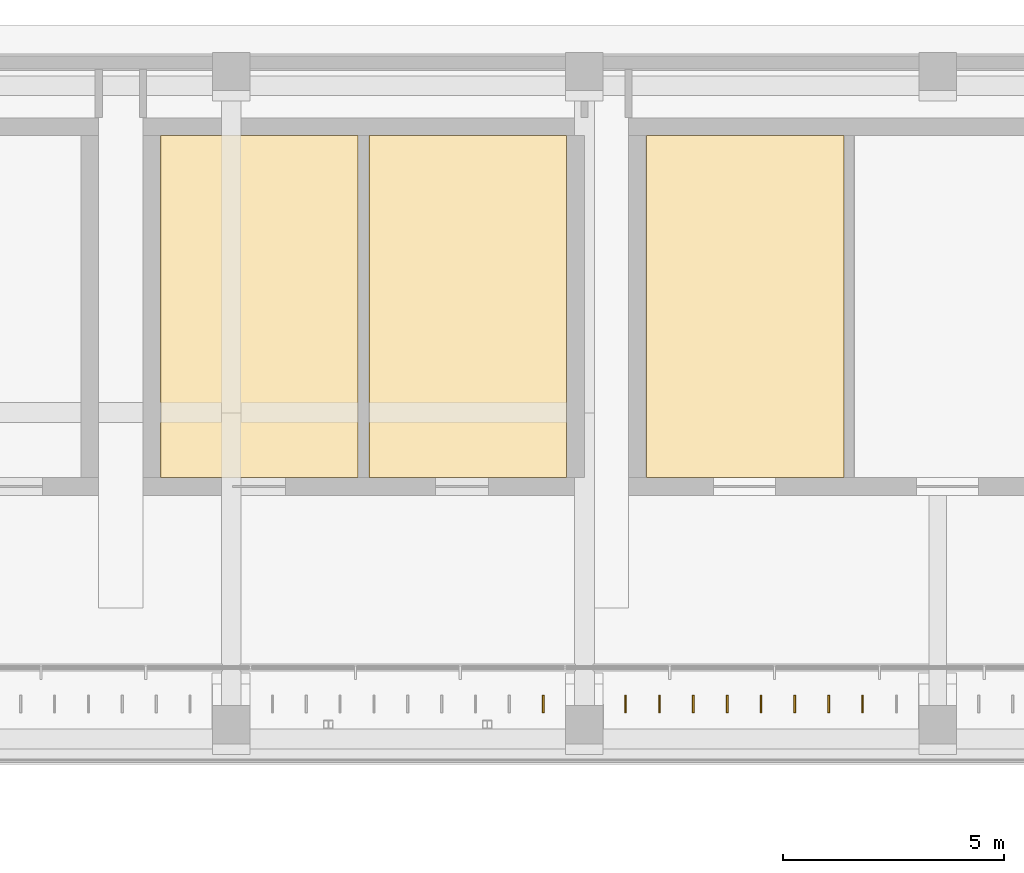
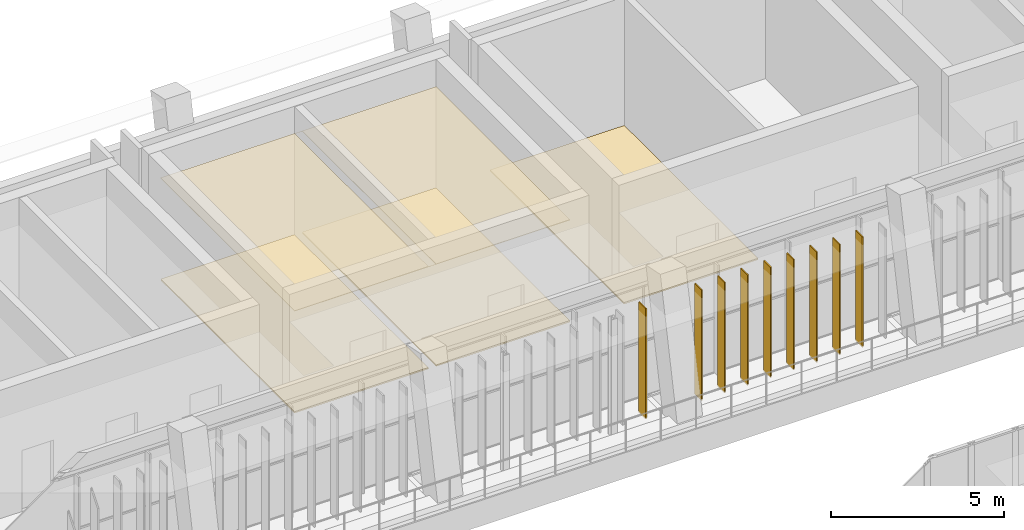
# One storey, part 87 of 92: 9 shading devices, 5 coverings.
"""IFC4 building model written with IfcOpenShell, lengths in metres."""

from ifc_helpers import new_model, si_unit, direction, frame, origin, origin_2d, place, context, subcontext, project, spatial, polyline, rectangle, outline, extrude, material, layer, layer_set, type_object, element, save


model = new_model("IFC4")

# Units and contexts
model_context = context("Model", 3, precision=1e-05, world=origin(), true_north=direction((0.0, 1.0)))
body_context = subcontext(model_context, "Body", "Model", "MODEL_VIEW")
ifc_project = project(units=[si_unit("LENGTHUNIT", "METRE"), si_unit("AREAUNIT", "SQUARE_METRE"), si_unit("VOLUMEUNIT", "CUBIC_METRE"), si_unit("PLANEANGLEUNIT", "RADIAN"), si_unit("MASSUNIT", "GRAM", prefix="KILO")], contexts=[model_context])

# Site, building, storey
site_placement = place(None, origin())
site = spatial("IfcSite", under=ifc_project, at=site_placement, CompositionType="ELEMENT")
building_placement = place(site_placement, origin())
building = spatial("IfcBuilding", under=site, at=building_placement, Name="Lantern Court Media Centre", CompositionType="ELEMENT")
storey_placement = place(building_placement, frame((0.0, 0.0, 4.800048828125)))
storey = spatial("IfcBuildingStorey", under=building, at=storey_placement, Name="L01", CompositionType="ELEMENT", Elevation=4.800048828125)

# Coverings
ifc_material_1 = material(Name="Carpet")
ifc_layer_1 = layer(ifc_material_1, 0.050048828125)
ifc_layer_set_1 = layer_set([ifc_layer_1], Name="Carpet")
covering_type_1 = type_object("IfcCoveringType", Name="Carpet floor finish", PredefinedType="FLOORING", material=ifc_layer_set_1)
covering_1_placement = place(storey_placement, origin())
element("IfcCovering", 1, at=covering_1_placement, inside=storey, type_object=covering_type_1, Name="Sound Mixing Suite 01 floor finish", PredefinedType="FLOORING", context=body_context, shape_type="SweptSolid", body=[
    extrude(outline(polyline([(46.405029296875, 103.455078125), (46.405029296875, 111.195068359375), (50.8701171875, 111.195068359375), (50.8701171875, 103.455078125), (46.405029296875, 103.455078125)])), origin(), (0.0, 0.0, 1.0), 0.050048828125),
])
covering_2_placement = place(storey_placement, origin())
element("IfcCovering", 2, at=covering_2_placement, inside=storey, type_object=covering_type_1, Name="Colour Grading Suite 01 floor finish", PredefinedType="FLOORING", context=body_context, shape_type="SweptSolid", body=[
    extrude(outline(polyline([(51.1298828125, 111.195068359375), (55.594970703125, 111.195068359375), (55.594970703125, 103.455078125), (51.1298828125, 103.455078125), (51.1298828125, 111.195068359375)])), origin(), (0.0, 0.0, 1.0), 0.050048828125),
])
covering_3_placement = place(storey_placement, origin())
element("IfcCovering", 3, at=covering_3_placement, inside=storey, type_object=covering_type_1, Name="Server Room 02 floor finish", PredefinedType="FLOORING", context=body_context, shape_type="SweptSolid", body=[
    extrude(outline(polyline([(57.405029296875, 103.455078125), (57.405029296875, 111.195068359375), (61.885009765625, 111.195068359375), (61.885009765625, 103.455078125), (57.405029296875, 103.455078125)])), origin(), (0.0, 0.0, 1.0), 0.050048828125),
])
ifc_material_2 = material(Name="Mineral fibre ceiling tile")
ifc_layer_2 = layer(ifc_material_2, 0.02001953125)
ifc_layer_set_2 = layer_set([ifc_layer_2], Name="Mineral fibre ceiling tile")
covering_type_2 = type_object("IfcCoveringType", Name="Suspended ceiling tile", PredefinedType="CEILING", material=ifc_layer_set_2)
covering_4_placement = place(storey_placement, frame((0.0, 0.0, 3.599853515625)))
element("IfcCovering", 4, at=covering_4_placement, inside=storey, type_object=covering_type_2, Name="Sound Mixing Suite 01 ceiling", PredefinedType="CEILING", context=body_context, shape_type="SweptSolid", body=[
    extrude(outline(polyline([(51.0, 103.450439453125), (46.400390625, 103.450439453125), (46.400390625, 111.199462890625), (51.0, 111.199462890625), (50.87451171875, 111.195068359375), (50.87451171875, 103.455078125), (51.0, 103.450439453125)])), origin(), (0.0, 0.0, 1.0), 0.02001953125),
])
covering_5_placement = place(storey_placement, frame((0.0, 0.0, 3.599853515625)))
element("IfcCovering", 5, at=covering_5_placement, inside=storey, type_object=covering_type_2, Name="Colour Grading Suite 01 ceiling", PredefinedType="CEILING", context=body_context, shape_type="SweptSolid", body=[
    extrude(outline(polyline([(51.0, 111.199462890625), (55.599609375, 111.199462890625), (55.599609375, 103.450439453125), (51.0, 103.450439453125), (51.12548828125, 103.455078125), (51.12548828125, 111.195068359375), (51.0, 111.199462890625)])), origin(), (0.0, 0.0, 1.0), 0.02001953125),
])

# Shading devices
ifc_material_3 = material(Name="Bronze anodised aluminium louvre", Category="aluminium")
ifc_layer_3 = layer(ifc_material_3, 0.0400390625)
ifc_layer_set_3 = layer_set([ifc_layer_3], Name="Bronze anodised aluminium louvre")
shading_device_type = type_object("IfcShadingDeviceType", Name="Vertical louvre 40x400 under beam", PredefinedType="USERDEFINED", material=ifc_layer_set_3)
for number, where, z_axis, x_axis, name in (
    (6, (55.066650390625, 98.320068359375, 0.0), (0.0, 0.0, 1.0), (1.0, 0.0, 0.0), "Vertical louvre N inner L01"),
    (7, (56.933349609375, 98.320068359375, 0.0), (0.0, 0.0, 1.0), (1.0, 0.0, 0.0), "Vertical louvre N inner L01"),
    (8, (57.699951171875, 98.320068359375, 0.0), (0.0, 0.0, 1.0), (1.0, 0.0, 0.0), "Vertical louvre N inner L01"),
    (9, (58.466552734375, 98.320068359375, 0.0), (0.0, 0.0, 1.0), (1.0, 0.0, 0.0), "Vertical louvre N inner L01"),
    (10, (59.2333984375, 98.320068359375, 0.0), (0.0, 0.0, 1.0), (1.0, 0.0, 0.0), "Vertical louvre N inner L01"),
    (11, (60.0, 98.320068359375, 0.0), (0.0, 0.0, 1.0), (1.0, 0.0, 0.0), "Vertical louvre N inner L01"),
    (12, (60.7666015625, 98.320068359375, 0.0), (0.0, 0.0, 1.0), (1.0, 0.0, 0.0), "Vertical louvre N inner L01"),
    (13, (61.533447265625, 98.320068359375, 0.0), (0.0, 0.0, 1.0), (1.0, 0.0, 0.0), "Vertical louvre N inner L01"),
    (14, (62.300048828125, 98.320068359375, 0.0), (0.0, 0.0, 1.0), (1.0, 0.0, 0.0), "Vertical louvre N inner L01"),
):
    element("IfcShadingDevice", number, at=place(storey_placement, frame(where, z_axis=z_axis, x_axis=x_axis)), inside=storey, type_object=shading_device_type, Name=name, ObjectType="VERTICAL LOUVRE", PredefinedType="USERDEFINED", context=body_context, shape_type="SweptSolid", body=[
        extrude(rectangle(XDim=0.0400390625, YDim=0.39990234375, at=origin_2d()), origin(), (0.0, 0.0, 1.0), 3.89990234375),
    ])

save(model, "model.ifc")
